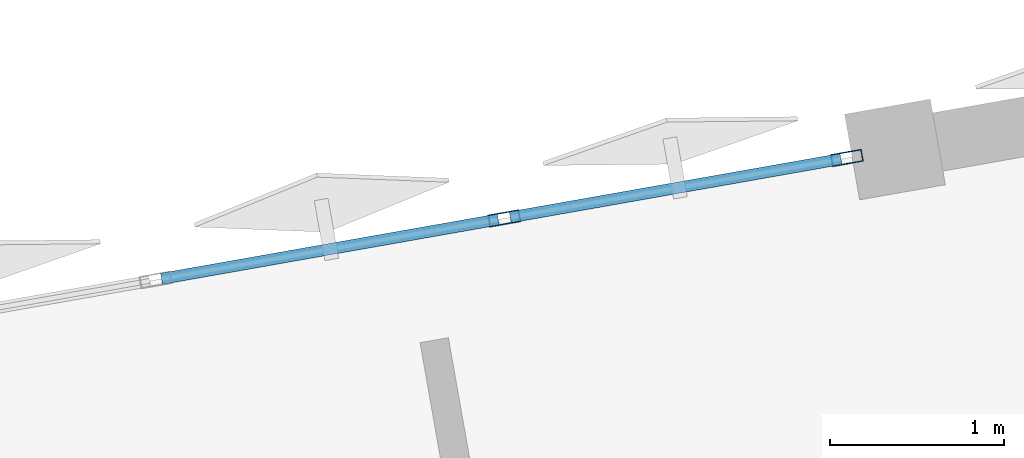
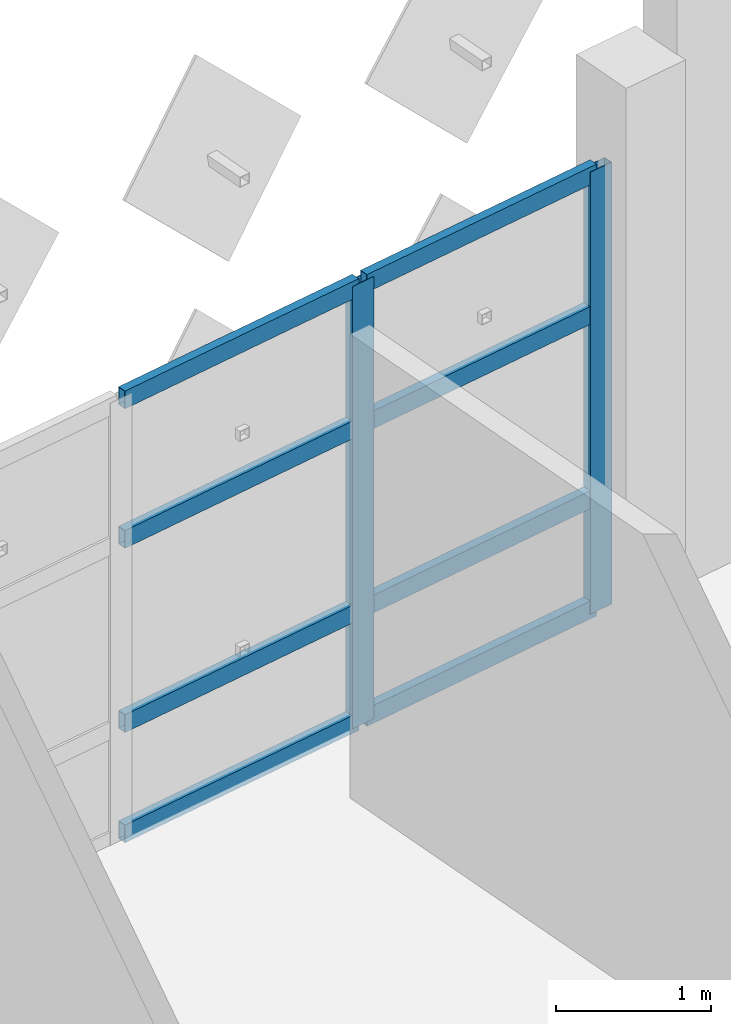
# One storey, part 5 of 11: 10 members, 1 element without a shape of its own.
"""IFC4 building model written with IfcOpenShell, lengths in metres."""

from ifc_helpers import new_model, si_unit, direction, frame, origin, origin_2d, place, context, subcontext, project, spatial, hollow_rectangle, extrude, material, layer, layer_set, material_profile, profile_set, type_object, element, aggregate, save


model = new_model("IFC4")

# Units and contexts
model_context = context("Model", 3, precision=1e-05, world=origin(), true_north=direction((0.0, 1.0)))
body_context = subcontext(model_context, "Body", "Model", "MODEL_VIEW")
ifc_project = project(units=[si_unit("LENGTHUNIT", "METRE"), si_unit("AREAUNIT", "SQUARE_METRE"), si_unit("VOLUMEUNIT", "CUBIC_METRE"), si_unit("PLANEANGLEUNIT", "RADIAN"), si_unit("MASSUNIT", "GRAM", prefix="KILO")], contexts=[model_context])

# Site, building, storey
site_placement = place(None, origin())
site = spatial("IfcSite", under=ifc_project, at=site_placement, CompositionType="ELEMENT")
building_placement = place(site_placement, origin())
building = spatial("IfcBuilding", under=site, at=building_placement, Name="Kharisveld Research Institute", CompositionType="ELEMENT")
storey_placement = place(building_placement, frame((0.0, 0.0, 49.199951171875)))
storey = spatial("IfcBuildingStorey", under=building, at=storey_placement, Name="L11", CompositionType="ELEMENT", Elevation=49.199951171875)

# Curtain wall, members
ifc_material_1 = material(Name="Thermally Broken Aluminium Curtain Wall", Category="aluminium")
ifc_layer = layer(ifc_material_1, 0.159912109375)
ifc_layer_set = layer_set([ifc_layer], Name="CW_SYS_05")
curtain_wall_type = type_object("IfcCurtainWallType", Name="CW_SYS_05", PredefinedType="NOTDEFINED", material=ifc_layer_set)
curtain_wall_placement = place(storey_placement, origin())
curtain_wall = element("IfcCurtainWall", 1, at=curtain_wall_placement, inside=storey, type_object=curtain_wall_type, Name="CW:V1:L11:N2", PredefinedType="NOTDEFINED")
ifc_material_2 = material(Name="Anodised Aluminium AW-6063-T6", Category="aluminium")
ifc_material_profile_1 = material_profile(ifc_material_2, hollow_rectangle(XDim=0.070068359375, YDim=0.179931640625, WallThickness=0.00439453125, at=origin_2d()))
ifc_profile_set_1 = profile_set([ifc_material_profile_1], Name="Anodised Aluminium AW-6063-T6")
member_type_1 = type_object("IfcMemberType", Name="CW_MUL_180", PredefinedType="MULLION", material=ifc_profile_set_1)
member_1_placement = place(storey_placement, frame((19.013916015625, 57.55126953125, 0.0), z_axis=(0.0, 0.0, 1.0), x_axis=(-0.173648102039, 0.984807766347, 0.0)))
member_1 = element("IfcMember", 2, at=member_1_placement, type_object=member_type_1, Name="CW-05 mullion 3", PredefinedType="MULLION", context=body_context, shape_type="SweptSolid", body=[
    extrude(hollow_rectangle(XDim=0.070068359375, YDim=0.179931640625, WallThickness=0.00439453125, at=origin_2d()), origin(), (0.0, 0.0, 1.0), 3.47998046875),
])
member_2_placement = place(storey_placement, frame((20.985107421875, 57.89892578125, 0.0), z_axis=(0.0, 0.0, 1.0), x_axis=(-0.173648102039, 0.984807766347, 0.0)))
member_2 = element("IfcMember", 3, at=member_2_placement, type_object=member_type_1, Name="CW-05 mullion 4", PredefinedType="MULLION", context=body_context, shape_type="SweptSolid", body=[
    extrude(hollow_rectangle(XDim=0.070068359375, YDim=0.179931640625, WallThickness=0.00439453125, at=origin_2d()), origin(), (0.0, 0.0, 1.0), 3.47998046875),
])
ifc_material_3 = material(Name="Anodised Aluminium AW-6063-T6", Category="aluminium")
ifc_material_profile_2 = material_profile(ifc_material_3, hollow_rectangle(XDim=0.06494140625, YDim=0.139892578125, WallThickness=0.00390625, at=origin_2d()))
ifc_profile_set_2 = profile_set([ifc_material_profile_2], Name="Anodised Aluminium AW-6063-T6")
member_type_2 = type_object("IfcMemberType", Name="CW_TRN_140", PredefinedType="USERDEFINED", material=ifc_profile_set_2)
member_3_placement = place(storey_placement, frame((17.042724609375, 57.20361328125, 0.032470703125), z_axis=(0.984803548023, 0.173672023659, 0.0), x_axis=(-0.173672023659, 0.984803548023, 0.0)))
member_3 = element("IfcMember", 4, at=member_3_placement, type_object=member_type_2, Name="CW-05 transom 2.1", ObjectType="TRANSOM", PredefinedType="USERDEFINED", context=body_context, shape_type="SweptSolid", body=[
    extrude(hollow_rectangle(XDim=0.06494140625, YDim=0.139892578125, WallThickness=0.00390625, at=origin_2d()), origin(), (0.0, 0.0, 1.0), 1.966552734375),
])
member_4_placement = place(storey_placement, frame((17.042724609375, 57.20361328125, 0.900146484375), z_axis=(0.984803548023, 0.173672023659, 0.0), x_axis=(-0.173672023659, 0.984803548023, 0.0)))
member_4 = element("IfcMember", 5, at=member_4_placement, type_object=member_type_2, Name="CW-05 transom 2.2", ObjectType="TRANSOM", PredefinedType="USERDEFINED", context=body_context, shape_type="SweptSolid", body=[
    extrude(hollow_rectangle(XDim=0.06494140625, YDim=0.139892578125, WallThickness=0.00390625, at=origin_2d()), origin(), (0.0, 0.0, 1.0), 1.966552734375),
])
member_5_placement = place(storey_placement, frame((17.042724609375, 57.20361328125, 2.35009765625), z_axis=(0.984803548023, 0.173672023659, 0.0), x_axis=(-0.173672023659, 0.984803548023, 0.0)))
member_5 = element("IfcMember", 6, at=member_5_placement, type_object=member_type_2, Name="CW-05 transom 2.3", ObjectType="TRANSOM", PredefinedType="USERDEFINED", context=body_context, shape_type="SweptSolid", body=[
    extrude(hollow_rectangle(XDim=0.06494140625, YDim=0.139892578125, WallThickness=0.00390625, at=origin_2d()), origin(), (0.0, 0.0, 1.0), 1.966552734375),
])
member_6_placement = place(storey_placement, frame((17.042724609375, 57.20361328125, 3.447509765625), z_axis=(0.984803548023, 0.173672023659, 0.0), x_axis=(-0.173672023659, 0.984803548023, 0.0)))
member_6 = element("IfcMember", 7, at=member_6_placement, type_object=member_type_2, Name="CW-05 transom 2.4", ObjectType="TRANSOM", PredefinedType="USERDEFINED", context=body_context, shape_type="SweptSolid", body=[
    extrude(hollow_rectangle(XDim=0.06494140625, YDim=0.139892578125, WallThickness=0.00390625, at=origin_2d()), origin(), (0.0, 0.0, 1.0), 1.966552734375),
])
member_7_placement = place(storey_placement, frame((19.04833984375, 57.557373046875, 0.032470703125), z_axis=(0.984806452584, 0.173655552599, 0.0), x_axis=(-0.173655552599, 0.984806452584, 0.0)))
member_7 = element("IfcMember", 8, at=member_7_placement, type_object=member_type_2, Name="CW-05 transom 3.1", ObjectType="TRANSOM", PredefinedType="USERDEFINED", context=body_context, shape_type="SweptSolid", body=[
    extrude(hollow_rectangle(XDim=0.06494140625, YDim=0.139892578125, WallThickness=0.00390625, at=origin_2d()), origin(), (0.0, 0.0, 1.0), 1.931640625),
])
member_8_placement = place(storey_placement, frame((19.04833984375, 57.557373046875, 0.900146484375), z_axis=(0.984806452584, 0.173655552599, 0.0), x_axis=(-0.173655552599, 0.984806452584, 0.0)))
member_8 = element("IfcMember", 9, at=member_8_placement, type_object=member_type_2, Name="CW-05 transom 3.2", ObjectType="TRANSOM", PredefinedType="USERDEFINED", context=body_context, shape_type="SweptSolid", body=[
    extrude(hollow_rectangle(XDim=0.06494140625, YDim=0.139892578125, WallThickness=0.00390625, at=origin_2d()), origin(), (0.0, 0.0, 1.0), 1.931640625),
])
member_9_placement = place(storey_placement, frame((19.04833984375, 57.557373046875, 2.35009765625), z_axis=(0.984806452584, 0.173655552599, 0.0), x_axis=(-0.173655552599, 0.984806452584, 0.0)))
member_9 = element("IfcMember", 10, at=member_9_placement, type_object=member_type_2, Name="CW-05 transom 3.3", ObjectType="TRANSOM", PredefinedType="USERDEFINED", context=body_context, shape_type="SweptSolid", body=[
    extrude(hollow_rectangle(XDim=0.06494140625, YDim=0.139892578125, WallThickness=0.00390625, at=origin_2d()), origin(), (0.0, 0.0, 1.0), 1.931640625),
])
member_10_placement = place(storey_placement, frame((19.04833984375, 57.557373046875, 3.447509765625), z_axis=(0.984806452584, 0.173655552599, 0.0), x_axis=(-0.173655552599, 0.984806452584, 0.0)))
member_10 = element("IfcMember", 11, at=member_10_placement, type_object=member_type_2, Name="CW-05 transom 3.4", ObjectType="TRANSOM", PredefinedType="USERDEFINED", context=body_context, shape_type="SweptSolid", body=[
    extrude(hollow_rectangle(XDim=0.06494140625, YDim=0.139892578125, WallThickness=0.00390625, at=origin_2d()), origin(), (0.0, 0.0, 1.0), 1.931640625),
])
aggregate(curtain_wall, [member_1, member_2, member_3, member_4, member_5, member_6, member_7, member_8, member_9, member_10])

save(model, "model.ifc")
